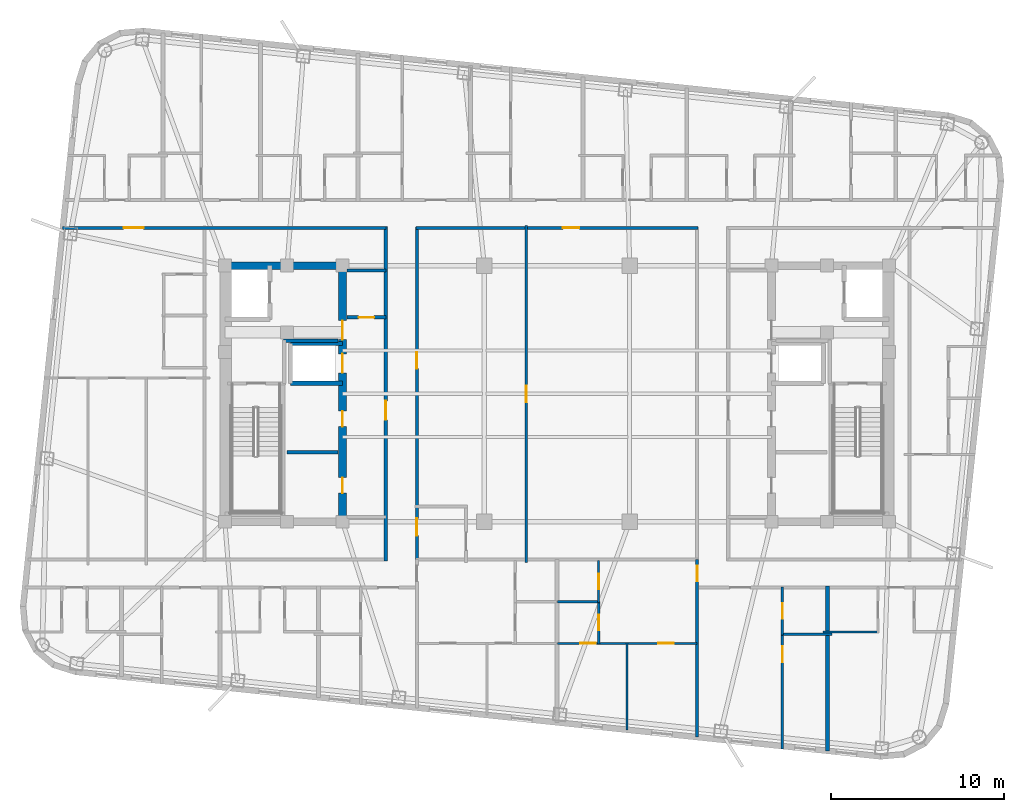
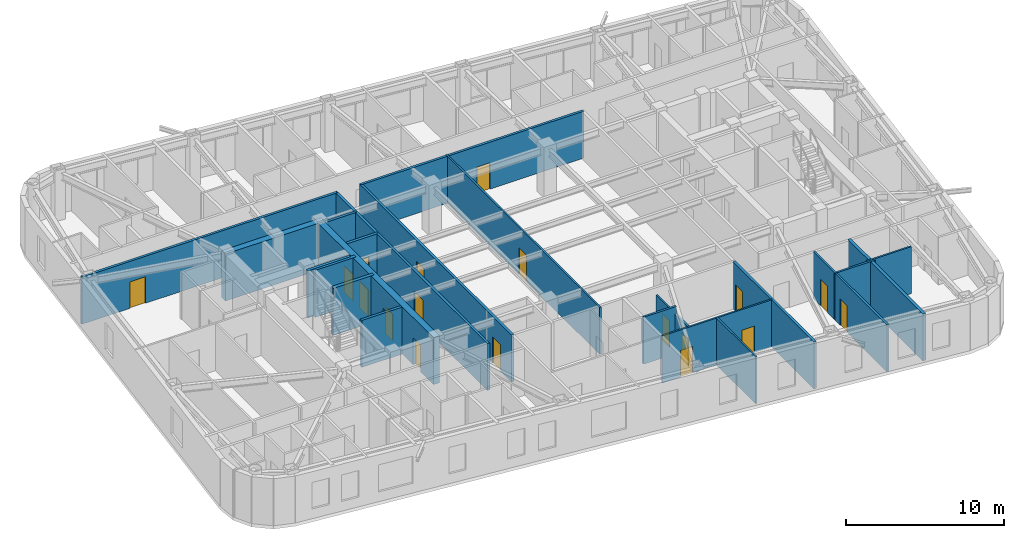
# One storey, part 5 of 11: 24 walls, 18 doors, 18 openings.
"""IFC4 building model written with IfcOpenShell, lengths in metres."""

import ifcopenshell
import ifcopenshell.guid

model = None  # the IFC model being written
_history = None  # IfcOwnerHistory: only IFC2X3 demands one
_inside = {}  # id of a spatial element -> (the spatial element, [elements in it])
_under = {}  # id of a project, library or spatial element -> (it, [spatial elements below it])
_declared = {}  # id of a project -> (the project, [libraries it declares])
_typed = {}  # id of a type object -> (the type object, [elements of that type])
_made_of = {}  # id of a material, layer set ... -> (it, [elements and type objects made of it])


def new_model(schema):
    """Start an empty IFC model of exactly this schema.

    Asked for "IFC4X3", IfcOpenShell would pick the latest addendum, in which some entities
    have other attributes; the version numbers below select the first issue.
    IFC2X3 requires an IfcOwnerHistory on every rooted entity: one is made here for all.
    """
    global model, _history
    if schema == "IFC4X3":
        model = ifcopenshell.file(schema_version=(4, 3, 0, 0))
    else:
        model = ifcopenshell.file(schema=schema)
    _inside.clear()
    _under.clear()
    _declared.clear()
    _typed.clear()
    _made_of.clear()
    _history = None
    if model.schema == "IFC2X3":
        org = make("IfcOrganization", Name="unknown")
        user = make(
            "IfcPersonAndOrganization",
            ThePerson=make("IfcPerson", FamilyName="unknown"),
            TheOrganization=org,
        )
        app = make(
            "IfcApplication",
            ApplicationDeveloper=org,
            Version="unknown",
            ApplicationFullName="unknown",
            ApplicationIdentifier="unknown",
        )
        _history = make(
            "IfcOwnerHistory",
            OwningUser=user,
            OwningApplication=app,
            ChangeAction="ADDED",
            CreationDate=0,
        )
    return model


def make(cls, **values):
    """One entity of the class cls with the attributes given. An attribute that is None is left unset."""
    return model.create_entity(
        cls, **{name: value for name, value in values.items() if value is not None}
    )


def rooted(cls, **values):
    """An entity with a GlobalId (a new one), such as an element, a storey or a relation."""
    return make(cls, GlobalId=ifcopenshell.guid.new(), OwnerHistory=_history, **values)


def si_unit(unit_type, name, prefix=None):
    """IfcSIUnit, for example si_unit("LENGTHUNIT", "METRE", prefix="MILLI")."""
    return make("IfcSIUnit", UnitType=unit_type, Prefix=prefix, Name=name)


def assignment(units):
    """IfcUnitAssignment: the units of a project."""
    return None if units is None else make("IfcUnitAssignment", Units=units)


def point(xyz):
    """IfcCartesianPoint."""
    return None if xyz is None else make("IfcCartesianPoint", Coordinates=xyz)


def direction(xyz):
    """IfcDirection."""
    return None if xyz is None else make("IfcDirection", DirectionRatios=xyz)


def frame(location, z_axis=None, x_axis=None):
    """IfcAxis2Placement3D, a coordinate frame: its origin and axes. An axis left out is left unset."""
    return make(
        "IfcAxis2Placement3D",
        Location=point(location),
        Axis=direction(z_axis),
        RefDirection=direction(x_axis),
    )


def frame_2d(location, x_axis=None):
    """IfcAxis2Placement2D, a coordinate frame in the plane: its origin and x axis."""
    return make(
        "IfcAxis2Placement2D", Location=point(location), RefDirection=direction(x_axis)
    )


def origin():
    """The frame at (0, 0, 0) with its axes left unset."""
    return frame((0.0, 0.0, 0.0))


def place(relative_to, where):
    """IfcLocalPlacement: puts the frame where relative to a parent placement (None: the world)."""
    return make(
        "IfcLocalPlacement", PlacementRelTo=relative_to, RelativePlacement=where
    )


def context(
    kind, dimensions, precision=None, world=None, true_north=None, identifier=None
):
    """IfcGeometricRepresentationContext, for example the 3D "Model" context."""
    return make(
        "IfcGeometricRepresentationContext",
        ContextIdentifier=identifier,
        ContextType=kind,
        CoordinateSpaceDimension=dimensions,
        Precision=precision,
        WorldCoordinateSystem=world,
        TrueNorth=true_north,
    )


def subcontext(parent, identifier, kind, view, scale=None):
    """IfcGeometricRepresentationSubContext, for example "Body" below "Model"."""
    return make(
        "IfcGeometricRepresentationSubContext",
        ContextIdentifier=identifier,
        ContextType=kind,
        ParentContext=parent,
        TargetScale=scale,
        TargetView=view,
    )


def project(units=None, contexts=None):
    """IfcProject with its units and contexts."""
    return rooted(
        "IfcProject",
        Name="project",
        RepresentationContexts=contexts,
        UnitsInContext=assignment(units),
    )


def spatial(cls, under=None, at=None, **own):
    """A site, building, storey or space (cls), placed at a placement, below another one or the project."""
    s = rooted(cls, ObjectPlacement=at, **own)
    if under is not None:
        _under.setdefault(under.id(), (under, []))[1].append(s)
    return s


def profile(cls, at=None, kind="AREA", **sizes):
    """A parametric profile (cls). Its sizes go by their IFC names, for example OverallWidth=200.0."""
    return make(cls, ProfileType=kind, Position=at, **sizes)


def rectangle(**sizes):
    """IfcRectangleProfileDef."""
    return profile("IfcRectangleProfileDef", **sizes)


def extrude(swept, where, along, depth):
    """IfcExtrudedAreaSolid: the profile swept, set in the frame where, extruded along a direction by depth."""
    return make(
        "IfcExtrudedAreaSolid",
        SweptArea=swept,
        Position=where,
        ExtrudedDirection=direction(along),
        Depth=depth,
    )


def shape(context_of_items, identifier, shape_type, items):
    """IfcShapeRepresentation: the items that make up one representation, for example the "Body"."""
    return make(
        "IfcShapeRepresentation",
        ContextOfItems=context_of_items,
        RepresentationIdentifier=identifier,
        RepresentationType=shape_type,
        Items=items,
    )


def material(Name=None, Category=None):
    """IfcMaterial."""
    return make("IfcMaterial", Name=Name, Category=Category)


def layer(
    of_material, thickness, ventilated=None, Name=None, Category=None, Priority=None
):
    """IfcMaterialLayer: one layer of a wall or slab, of a material (None: an air gap)."""
    return make(
        "IfcMaterialLayer",
        Material=of_material,
        LayerThickness=thickness,
        IsVentilated=ventilated,
        Name=Name,
        Category=Category,
        Priority=Priority,
    )


def layer_set(layers, Name=None):
    """IfcMaterialLayerSet."""
    return make("IfcMaterialLayerSet", MaterialLayers=layers, LayerSetName=Name)


def made_of(thing, what):
    """Note that an element or type object is made of a material, layer set ...; save() writes the relation."""
    if what is not None:
        _made_of.setdefault(what.id(), (what, []))[1].append(thing)
    return thing


def type_object(cls, material=None, **own):
    """A type object (cls), such as IfcWallType, which elements share."""
    return made_of(rooted(cls, **own), material)


def element(
    cls,
    number,
    at=None,
    inside=None,
    cuts=None,
    type_object=None,
    material=None,
    context=None,
    identifier="Body",
    shape_type=None,
    held_by="IfcProductDefinitionShape",
    body=None,
    shapes=None,
    **own,
):
    """One element of the class cls, such as IfcWall. Its Tag is "e" and its number.

    at: its placement. inside: the storey or other place that contains it. cuts: it is an
    opening in that element (IfcRelVoidsElement). A single representation is given by context,
    identifier, shape_type and body (its items); several are given by shapes. held_by: the class
    of the entity that holds the representations. save() writes the other relations.
    """
    e = rooted(cls, Tag="e%d" % number, ObjectPlacement=at, **own)
    if body is not None:
        shapes = [shape(context, identifier, shape_type, body)]
    if shapes is not None:
        e.Representation = make(held_by, Representations=shapes)
    if inside is not None:
        _inside.setdefault(inside.id(), (inside, []))[1].append(e)
    if cuts is not None:
        rooted(
            "IfcRelVoidsElement", RelatingBuildingElement=cuts, RelatedOpeningElement=e
        )
    if type_object is not None:
        _typed.setdefault(type_object.id(), (type_object, []))[1].append(e)
    return made_of(e, material)


def fill(opening, filler):
    """IfcRelFillsElement: the door or window that sits in an opening."""
    return rooted(
        "IfcRelFillsElement",
        RelatingOpeningElement=opening,
        RelatedBuildingElement=filler,
    )


def aggregate(whole, parts):
    """IfcRelAggregates: a whole, such as a stair, and the parts it consists of."""
    return rooted("IfcRelAggregates", RelatingObject=whole, RelatedObjects=parts)


def save(model, path):
    """Write the relations noted so far, then the file.

    IfcRelAggregates (storeys below a building ...), IfcRelContainedInSpatialStructure (elements
    in a storey), IfcRelDefinesByType, IfcRelAssociatesMaterial and IfcRelDeclares: one each for
    every whole, place, type object, material and project.
    """
    for whole, parts in _under.values():
        aggregate(whole, parts)
    for where, things in _inside.values():
        rooted(
            "IfcRelContainedInSpatialStructure",
            RelatedElements=things,
            RelatingStructure=where,
        )
    for kind, things in _typed.values():
        rooted("IfcRelDefinesByType", RelatedObjects=things, RelatingType=kind)
    for what, things in _made_of.values():
        rooted("IfcRelAssociatesMaterial", RelatedObjects=things, RelatingMaterial=what)
    for by, libraries in _declared.values():
        rooted("IfcRelDeclares", RelatingContext=by, RelatedDefinitions=libraries)
    model.write(path)


model = new_model("IFC4")

# Units and contexts
model_context = context("Model", 3, precision=1e-05, world=origin(), true_north=direction((0.0, 1.0)))
body_context = subcontext(model_context, "Body", "Model", "MODEL_VIEW")
ifc_project = project(units=[si_unit("LENGTHUNIT", "METRE"), si_unit("AREAUNIT", "SQUARE_METRE"), si_unit("VOLUMEUNIT", "CUBIC_METRE"), si_unit("PLANEANGLEUNIT", "RADIAN"), si_unit("MASSUNIT", "GRAM", prefix="KILO")], contexts=[model_context])

# Site, building, storey
site_placement = place(None, origin())
site = spatial("IfcSite", under=ifc_project, at=site_placement, CompositionType="ELEMENT")
building_placement = place(site_placement, origin())
building = spatial("IfcBuilding", under=site, at=building_placement, Name="Voryun Gate Residences", CompositionType="ELEMENT")
storey_placement = place(building_placement, frame((0.0, 0.0, 287.300048828125)))
storey = spatial("IfcBuildingStorey", under=building, at=storey_placement, Name="L71", CompositionType="ELEMENT", Elevation=287.300048828125)

# Wall
ifc_material_1 = material(Name="Concrete C50/60", Category="concrete")
ifc_layer_1 = layer(ifc_material_1, 0.449951171875, Name="CW_CORE_450")
ifc_layer_set_1 = layer_set([ifc_layer_1], Name="Concrete C50/60")
wall_type_1 = type_object("IfcWallType", Name="CW_CORE_450", PredefinedType="SHEAR", material=ifc_layer_set_1)
wall_1_placement = place(storey_placement, frame((-19.425048828125, 7.39990234375, 0.0), z_axis=(0.0, 0.0, 1.0), x_axis=(1.0, 0.0, 0.0)))
element("IfcWall", 1, at=wall_1_placement, inside=storey, type_object=wall_type_1, Name="L71 Core shear wall CW-L71-WN", PredefinedType="SHEAR", context=body_context, shape_type="SweptSolid", body=[
    extrude(rectangle(XDim=7.25, YDim=0.449951171875, at=frame_2d((3.625, 0.0))), origin(), (0.0, 0.0, 1.0), 3.635009765625),
])

# Wall, openings, doors
wall_2_placement = place(storey_placement, frame((-12.39990234375, -7.39990234375, 0.0), z_axis=(0.0, 0.0, 1.0), x_axis=(0.0, 1.0, 0.0)))
wall_2 = element("IfcWall", 2, at=wall_2_placement, inside=storey, type_object=wall_type_1, Name="L71 Core shear wall CW-L71-WE", PredefinedType="SHEAR", context=body_context, shape_type="SweptSolid", body=[
    extrude(rectangle(XDim=14.7998046875, YDim=0.449951171875, at=frame_2d((7.39990234375, 0.0))), origin(), (0.0, 0.0, 1.0), 3.635009765625),
])
opening_1_placement = place(wall_2_placement, frame((8.60009765625, 0.0, 0.0)))
opening_1 = element("IfcOpeningElement", 3, at=opening_1_placement, cuts=wall_2, Name="Opening LD2", PredefinedType="OPENING", context=body_context, shape_type="SweptSolid", body=[
    extrude(rectangle(XDim=1.10009765625, YDim=2.050048828125, at=frame_2d((0.550048828125, 1.02490234375))), frame((0.0, 0.235107421875, 0.0), z_axis=(0.0, -1.0, 0.0), x_axis=(1.0, 0.0, 0.0)), (0.0, 0.0, 1.0), 0.469970703125),
])
opening_2_placement = place(wall_2_placement, frame((10.530029296875, 0.0, 0.0)))
opening_2 = element("IfcOpeningElement", 4, at=opening_2_placement, cuts=wall_2, Name="Opening D-FD60-2", PredefinedType="OPENING", context=body_context, shape_type="SweptSolid", body=[
    extrude(rectangle(XDim=1.10009765625, YDim=2.050048828125, at=frame_2d((0.550048828125, 1.02490234375))), frame((0.0, 0.235107421875, 0.0), z_axis=(0.0, -1.0, 0.0), x_axis=(1.0, 0.0, 0.0)), (0.0, 0.0, 1.0), 0.469970703125),
])
opening_3_placement = place(wall_2_placement, frame((1.64990234375, 0.0, 0.0)))
opening_3 = element("IfcOpeningElement", 5, at=opening_3_placement, cuts=wall_2, Name="Opening D-FD60-4", PredefinedType="OPENING", context=body_context, shape_type="SweptSolid", body=[
    extrude(rectangle(XDim=0.89990234375, YDim=2.050048828125, at=frame_2d((0.449951171875, 1.02490234375))), frame((0.0, 0.235107421875, 0.0), z_axis=(0.0, -1.0, 0.0), x_axis=(1.0, 0.0, 0.0)), (0.0, 0.0, 1.0), 0.469970703125),
])
opening_4_placement = place(wall_2_placement, frame((5.5, 0.0, 0.0)))
opening_4 = element("IfcOpeningElement", 6, at=opening_4_placement, cuts=wall_2, Name="Opening D-FD60-4", PredefinedType="OPENING", context=body_context, shape_type="SweptSolid", body=[
    extrude(rectangle(XDim=0.89990234375, YDim=2.050048828125, at=frame_2d((0.449951171875, 1.02490234375))), frame((0.0, 0.235107421875, 0.0), z_axis=(0.0, -1.0, 0.0), x_axis=(1.0, 0.0, 0.0)), (0.0, 0.0, 1.0), 0.469970703125),
])
ifc_material_2 = material(Name="Painted steel fire door", Category="steel")
door_type_1 = type_object("IfcDoorType", Name="DR_FD60_FFLOB_1100", OperationType="NOTDEFINED", PredefinedType="DOOR", material=ifc_material_2)
door_1_placement = place(opening_2_placement, origin())
door_1 = element("IfcDoor", 7, at=door_1_placement, inside=storey, type_object=door_type_1, Name="Door DR-L71-CLOB-W", OperationType="SINGLE_SWING_LEFT", OverallHeight=2.050048828125, OverallWidth=1.10009765625, PredefinedType="DOOR", context=body_context, shape_type="SweptSolid", body=[
    extrude(rectangle(XDim=1.10009765625, YDim=2.050048828125, at=frame_2d((0.550048828125, 1.02490234375))), frame((0.0, 0.02490234375, 0.0), z_axis=(0.0, -1.0, 0.0), x_axis=(1.0, 0.0, 0.0)), (0.0, 0.0, 1.0), 0.050048828125),
])
fill(opening_2, door_1)
ifc_material_3 = material(Name="Painted steel fire door", Category="steel")
door_type_2 = type_object("IfcDoorType", Name="DR_FD60_RISER_900", OperationType="NOTDEFINED", PredefinedType="DOOR", material=ifc_material_3)
door_2_placement = place(opening_3_placement, origin())
door_2 = element("IfcDoor", 8, at=door_2_placement, inside=storey, type_object=door_type_2, Name="Door DR-L71-RECW-HS", OperationType="SINGLE_SWING_LEFT", OverallHeight=2.050048828125, OverallWidth=0.89990234375, PredefinedType="DOOR", context=body_context, shape_type="SweptSolid", body=[
    extrude(rectangle(XDim=0.89990234375, YDim=2.050048828125, at=frame_2d((0.449951171875, 1.02490234375))), frame((0.0, 0.02490234375, 0.0), z_axis=(0.0, -1.0, 0.0), x_axis=(1.0, 0.0, 0.0)), (0.0, 0.0, 1.0), 0.050048828125),
])
fill(opening_3, door_2)
door_3_placement = place(opening_4_placement, origin())
door_3 = element("IfcDoor", 9, at=door_3_placement, inside=storey, type_object=door_type_2, Name="Door DR-L71-RECW-HN", OperationType="SINGLE_SWING_RIGHT", OverallHeight=2.050048828125, OverallWidth=0.89990234375, PredefinedType="DOOR", context=body_context, shape_type="SweptSolid", body=[
    extrude(rectangle(XDim=0.89990234375, YDim=2.050048828125, at=frame_2d((0.449951171875, 1.02490234375))), frame((0.0, 0.02490234375, 0.0), z_axis=(0.0, -1.0, 0.0), x_axis=(1.0, 0.0, 0.0)), (0.0, 0.0, 1.0), 0.050048828125),
])
fill(opening_4, door_3)
ifc_material_4 = material(Name="Anodised aluminium", Category="aluminium")
door_type_3 = type_object("IfcDoorType", Name="DR_LD_PASS_1100", OperationType="NOTDEFINED", PredefinedType="DOOR", material=ifc_material_4)
door_4_placement = place(opening_1_placement, origin())
door_4 = element("IfcDoor", 10, at=door_4_placement, inside=storey, type_object=door_type_3, Name="Lift EL-P7 sliding landing door L71", OperationType="SLIDING_TO_LEFT", OverallHeight=2.050048828125, OverallWidth=1.10009765625, PredefinedType="DOOR", context=body_context, shape_type="SweptSolid", body=[
    extrude(rectangle(XDim=1.10009765625, YDim=2.050048828125, at=frame_2d((0.550048828125, 1.02490234375))), frame((0.0, 0.02490234375, 0.0), z_axis=(0.0, -1.0, 0.0), x_axis=(1.0, 0.0, 0.0)), (0.0, 0.0, 1.0), 0.050048828125),
])
fill(opening_1, door_4)

# Wall
ifc_material_5 = material(Name="Gypsum acoustic fireboard")
ifc_layer_2 = layer(ifc_material_5, 0.179931640625, Name="W_CORR_RATED_180")
ifc_layer_set_2 = layer_set([ifc_layer_2], Name="Gypsum acoustic fireboard")
wall_type_2 = type_object("IfcWallType", Name="W_CORR_RATED_180", PredefinedType="PARTITIONING", material=ifc_layer_set_2)
wall_3_placement = place(storey_placement, frame((-12.14990234375, 7.1201171875, 0.0), z_axis=(0.0, 0.0, 1.0), x_axis=(1.0, 0.0, 0.0)))
element("IfcWall", 11, at=wall_3_placement, inside=storey, type_object=wall_type_2, Name="Partition wall WP-L71-PLBN-W", PredefinedType="PARTITIONING", context=body_context, shape_type="SweptSolid", body=[
    extrude(rectangle(XDim=2.27001953125, YDim=0.179931640625, at=frame_2d((1.135009765625, 0.0))), origin(), (0.0, 0.0, 1.0), 3.635009765625),
])

# Wall, opening, door
wall_4_placement = place(storey_placement, frame((-9.89990234375, -9.679931640625, 0.0), z_axis=(0.0, 0.0, 1.0), x_axis=(0.0, 1.0, 0.0)))
wall_4 = element("IfcWall", 12, at=wall_4_placement, inside=storey, type_object=wall_type_2, Name="Partition wall WP-L71-PLBW-FULL", PredefinedType="PARTITIONING", context=body_context, shape_type="SweptSolid", body=[
    extrude(rectangle(XDim=19.35986328125, YDim=0.179931640625, at=frame_2d((9.679931640625, 0.0))), origin(), (0.0, 0.0, 1.0), 3.635009765625),
])
opening_5_placement = place(wall_4_placement, frame((8.162109375, 0.0, 0.0)))
opening_5 = element("IfcOpeningElement", 13, at=opening_5_placement, cuts=wall_4, Name="Opening D-FD60-2", PredefinedType="OPENING", context=body_context, shape_type="SweptSolid", body=[
    extrude(rectangle(XDim=1.10009765625, YDim=2.050048828125, at=frame_2d((0.550048828125, 1.02490234375))), frame((0.0, 0.099853515625, 0.0), z_axis=(0.0, -1.0, 0.0), x_axis=(1.0, 0.0, 0.0)), (0.0, 0.0, 1.0), 0.199951171875),
])
door_5_placement = place(opening_5_placement, origin())
door_5 = element("IfcDoor", 14, at=door_5_placement, inside=storey, type_object=door_type_1, Name="Door DR-L71-PLBW-COR", OperationType="SINGLE_SWING_LEFT", OverallHeight=2.050048828125, OverallWidth=1.10009765625, PredefinedType="DOOR", context=body_context, shape_type="SweptSolid", body=[
    extrude(rectangle(XDim=1.10009765625, YDim=2.050048828125, at=frame_2d((0.550048828125, 1.02490234375))), frame((0.0, 0.02490234375, 0.0), z_axis=(0.0, -1.0, 0.0), x_axis=(1.0, 0.0, 0.0)), (0.0, 0.0, 1.0), 0.050048828125),
])
fill(opening_5, door_5)

wall_5_placement = place(storey_placement, frame((-28.56982421875, 9.590087890625, 0.0), z_axis=(0.0, 0.0, 1.0), x_axis=(1.0, 0.0, 0.0)))
wall_5 = element("IfcWall", 15, at=wall_5_placement, inside=storey, type_object=wall_type_2, Name="Partition wall WP-L71-CWING-WN", PredefinedType="PARTITIONING", context=body_context, shape_type="SweptSolid", body=[
    extrude(rectangle(XDim=18.68994140625, YDim=0.179931640625, at=frame_2d((9.344970703125, 0.0))), origin(), (0.0, 0.0, 1.0), 3.635009765625),
])
opening_6_placement = place(wall_5_placement, frame((3.52001953125, 0.0, 0.0)))
opening_6 = element("IfcOpeningElement", 16, at=opening_6_placement, cuts=wall_5, Name="Opening D-UNIT-1", PredefinedType="OPENING", context=body_context, shape_type="SweptSolid", body=[
    extrude(rectangle(XDim=1.14990234375, YDim=2.050048828125, at=frame_2d((0.574951171875, 1.02490234375))), frame((0.0, 0.099853515625, 0.0), z_axis=(0.0, -1.0, 0.0), x_axis=(1.0, 0.0, 0.0)), (0.0, 0.0, 1.0), 0.199951171875),
])
ifc_material_6 = material(Name="Armoured timber-clad fire door", Category="wood")
door_type_4 = type_object("IfcDoorType", Name="DR_UNIT_ENTRY_1150", OperationType="NOTDEFINED", PredefinedType="DOOR", material=ifc_material_6)
door_6_placement = place(opening_6_placement, origin())
door_6 = element("IfcDoor", 17, at=door_6_placement, inside=storey, type_object=door_type_4, Name="Door DR-L71-WE1N", OperationType="SINGLE_SWING_LEFT", OverallHeight=2.050048828125, OverallWidth=1.14990234375, PredefinedType="DOOR", context=body_context, shape_type="SweptSolid", body=[
    extrude(rectangle(XDim=1.14990234375, YDim=2.050048828125, at=frame_2d((0.574951171875, 1.02490234375))), frame((0.0, 0.02490234375, 0.0), z_axis=(0.0, -1.0, 0.0), x_axis=(1.0, 0.0, 0.0)), (0.0, 0.0, 1.0), 0.050048828125),
])
fill(opening_6, door_6)

wall_6_placement = place(storey_placement, frame((-8.14990234375, 9.590087890625, 0.0), z_axis=(0.0, 0.0, 1.0), x_axis=(1.0, 0.0, 0.0)))
wall_6 = element("IfcWall", 18, at=wall_6_placement, inside=storey, type_object=wall_type_2, Name="Partition wall WP-L71-Z3N", PredefinedType="PARTITIONING", context=body_context, shape_type="SweptSolid", body=[
    extrude(rectangle(XDim=16.2998046875, YDim=0.179931640625, at=frame_2d((8.14990234375, 0.0))), origin(), (0.0, 0.0, 1.0), 3.635009765625),
])
opening_7_placement = place(wall_6_placement, frame((8.489990234375, 0.0, 0.0)))
opening_7 = element("IfcOpeningElement", 19, at=opening_7_placement, cuts=wall_6, Name="Opening D-INT-1", PredefinedType="OPENING", context=body_context, shape_type="SweptSolid", body=[
    extrude(rectangle(XDim=0.949951171875, YDim=2.050048828125, at=frame_2d((0.47509765625, 1.02490234375))), frame((0.0, 0.099853515625, 0.0), z_axis=(0.0, -1.0, 0.0), x_axis=(1.0, 0.0, 0.0)), (0.0, 0.0, 1.0), 0.199951171875),
])
ifc_material_7 = material(Name="Architectural oak veneer")
door_type_5 = type_object("IfcDoorType", Name="DR_INT_ROOM_950", OperationType="NOTDEFINED", PredefinedType="DOOR", material=ifc_material_7)
door_7_placement = place(opening_7_placement, origin())
door_7 = element("IfcDoor", 20, at=door_7_placement, inside=storey, type_object=door_type_5, Name="Door DR-L71-CMIDZ3N", OperationType="SINGLE_SWING_LEFT", OverallHeight=2.050048828125, OverallWidth=0.949951171875, PredefinedType="DOOR", context=body_context, shape_type="SweptSolid", body=[
    extrude(rectangle(XDim=0.949951171875, YDim=2.050048828125, at=frame_2d((0.47509765625, 1.02490234375))), frame((0.0, 0.02490234375, 0.0), z_axis=(0.0, -1.0, 0.0), x_axis=(1.0, 0.0, 0.0)), (0.0, 0.0, 1.0), 0.050048828125),
])
fill(opening_7, door_7)

# Wall, openings, doors
wall_7_placement = place(storey_placement, frame((-8.10009765625, -9.6298828125, 0.0), z_axis=(0.0, 0.0, 1.0), x_axis=(0.0, 1.0, 0.0)))
wall_7 = element("IfcWall", 21, at=wall_7_placement, inside=storey, type_object=wall_type_2, Name="Partition wall WP-L71-Z3W", PredefinedType="PARTITIONING", context=body_context, shape_type="SweptSolid", body=[
    extrude(rectangle(XDim=19.259765625, YDim=0.179931640625, at=frame_2d((9.6298828125, 0.0))), origin(), (0.0, 0.0, 1.0), 3.635009765625),
])
opening_8_placement = place(wall_7_placement, frame((1.426025390625, 0.0, 0.0)))
opening_8 = element("IfcOpeningElement", 22, at=opening_8_placement, cuts=wall_7, Name="Opening D-AWC-1", PredefinedType="OPENING", context=body_context, shape_type="SweptSolid", body=[
    extrude(rectangle(XDim=1.0, YDim=2.050048828125, at=frame_2d((0.5, 1.02490234375))), frame((0.0, 0.099853515625, 0.0), z_axis=(0.0, -1.0, 0.0), x_axis=(1.0, 0.0, 0.0)), (0.0, 0.0, 1.0), 0.199951171875),
])
opening_9_placement = place(wall_7_placement, frame((11.0810546875, 0.0, 0.0)))
opening_9 = element("IfcOpeningElement", 23, at=opening_9_placement, cuts=wall_7, Name="Opening D-INT-1", PredefinedType="OPENING", context=body_context, shape_type="SweptSolid", body=[
    extrude(rectangle(XDim=0.949951171875, YDim=2.050048828125, at=frame_2d((0.47509765625, 1.02490234375))), frame((0.0, 0.099853515625, 0.0), z_axis=(0.0, -1.0, 0.0), x_axis=(1.0, 0.0, 0.0)), (0.0, 0.0, 1.0), 0.199951171875),
])
ifc_material_8 = material(Name="Architectural oak veneer")
door_type_6 = type_object("IfcDoorType", Name="DR_ACC_WC_1000", OperationType="NOTDEFINED", PredefinedType="DOOR", material=ifc_material_8)
door_8_placement = place(opening_8_placement, origin())
door_8 = element("IfcDoor", 24, at=door_8_placement, inside=storey, type_object=door_type_6, Name="Door DR-L71-CMWC-D", OperationType="SINGLE_SWING_LEFT", OverallHeight=2.050048828125, OverallWidth=1.0, PredefinedType="DOOR", context=body_context, shape_type="SweptSolid", body=[
    extrude(rectangle(XDim=1.0, YDim=2.050048828125, at=frame_2d((0.5, 1.02490234375))), frame((0.0, 0.02490234375, 0.0), z_axis=(0.0, -1.0, 0.0), x_axis=(1.0, 0.0, 0.0)), (0.0, 0.0, 1.0), 0.050048828125),
])
fill(opening_8, door_8)
door_9_placement = place(opening_9_placement, origin())
door_9 = element("IfcDoor", 25, at=door_9_placement, inside=storey, type_object=door_type_5, Name="Door DR-L71-CMIDZ3W", OperationType="SINGLE_SWING_RIGHT", OverallHeight=2.050048828125, OverallWidth=0.949951171875, PredefinedType="DOOR", context=body_context, shape_type="SweptSolid", body=[
    extrude(rectangle(XDim=0.949951171875, YDim=2.050048828125, at=frame_2d((0.47509765625, 1.02490234375))), frame((0.0, 0.02490234375, 0.0), z_axis=(0.0, -1.0, 0.0), x_axis=(1.0, 0.0, 0.0)), (0.0, 0.0, 1.0), 0.050048828125),
])
fill(opening_9, door_9)

# Wall, opening, door
wall_8_placement = place(storey_placement, frame((8.10009765625, -19.857177734375, 0.0), z_axis=(0.0, 0.0, 1.0), x_axis=(0.0, 1.0, 0.0)))
wall_8 = element("IfcWall", 26, at=wall_8_placement, inside=storey, type_object=wall_type_2, Name="Partition wall WP-L71-SZV-2", PredefinedType="PARTITIONING", context=body_context, shape_type="SweptSolid", body=[
    extrude(rectangle(XDim=10.26708984375, YDim=0.179931640625, at=frame_2d((5.133544921875, 0.0))), origin(), (0.0, 0.0, 1.0), 3.635009765625),
])
opening_10_placement = place(wall_8_placement, frame((9.017333984375, 0.0, 0.0)))
opening_10 = element("IfcOpeningElement", 27, at=opening_10_placement, cuts=wall_8, Name="Opening D-INT-2", PredefinedType="OPENING", context=body_context, shape_type="SweptSolid", body=[
    extrude(rectangle(XDim=0.89990234375, YDim=2.050048828125, at=frame_2d((0.449951171875, 1.02490234375))), frame((0.0, 0.099853515625, 0.0), z_axis=(0.0, -1.0, 0.0), x_axis=(1.0, 0.0, 0.0)), (0.0, 0.0, 1.0), 0.199951171875),
])
ifc_material_9 = material(Name="Architectural oak veneer")
door_type_7 = type_object("IfcDoorType", Name="DR_INT_BATH_900", OperationType="NOTDEFINED", PredefinedType="DOOR", material=ifc_material_9)
door_10_placement = place(opening_10_placement, origin())
door_10 = element("IfcDoor", 28, at=door_10_placement, inside=storey, type_object=door_type_7, Name="Door DR-L71-SZENT-2", OperationType="SINGLE_SWING_RIGHT", OverallHeight=2.050048828125, OverallWidth=0.89990234375, PredefinedType="DOOR", context=body_context, shape_type="SweptSolid", body=[
    extrude(rectangle(XDim=0.89990234375, YDim=2.050048828125, at=frame_2d((0.449951171875, 1.02490234375))), frame((0.0, 0.02490234375, 0.0), z_axis=(0.0, -1.0, 0.0), x_axis=(1.0, 0.0, 0.0)), (0.0, 0.0, 1.0), 0.050048828125),
])
fill(opening_10, door_10)

# Walls
ifc_material_10 = material(Name="Concrete C40/50", Category="concrete")
ifc_layer_3 = layer(ifc_material_10, 0.199951171875, Name="W_FF_LOBBY_200")
ifc_layer_set_3 = layer_set([ifc_layer_3], Name="Concrete C40/50")
wall_type_3 = type_object("IfcWallType", Name="W_FF_LOBBY_200", PredefinedType="PARTITIONING", material=ifc_layer_set_3)
wall_9_placement = place(storey_placement, frame((-15.820068359375, 3.06005859375, 0.0), z_axis=(0.0, 0.0, 1.0), x_axis=(1.0, 0.0, 0.0)))
element("IfcWall", 29, at=wall_9_placement, inside=storey, type_object=wall_type_3, Name="Partition wall WP-L71-FFPS-W", PredefinedType="PARTITIONING", context=body_context, shape_type="SweptSolid", body=[
    extrude(rectangle(XDim=3.16015625, YDim=0.199951171875, at=frame_2d((1.580078125, 0.0))), origin(), (0.0, 0.0, 1.0), 3.635009765625),
])
wall_10_placement = place(storey_placement, frame((-15.60009765625, -3.389892578125, 0.0), z_axis=(0.0, 0.0, 1.0), x_axis=(1.0, 0.0, 0.0)))
element("IfcWall", 30, at=wall_10_placement, inside=storey, type_object=wall_type_3, Name="Partition wall WP-L71-RECEY-W", PredefinedType="PARTITIONING", context=body_context, shape_type="SweptSolid", body=[
    extrude(rectangle(XDim=2.940185546875, YDim=0.199951171875, at=frame_2d((1.47021484375, 0.0))), origin(), (0.0, 0.0, 1.0), 3.635009765625),
])

# Wall, opening, door
wall_11_placement = place(storey_placement, frame((-12.14990234375, 4.409912109375, 0.0), z_axis=(0.0, 0.0, 1.0), x_axis=(1.0, 0.0, 0.0)))
wall_11 = element("IfcWall", 31, at=wall_11_placement, inside=storey, type_object=wall_type_3, Name="Partition wall WP-L71-CSFLKS-W", PredefinedType="PARTITIONING", context=body_context, shape_type="SweptSolid", body=[
    extrude(rectangle(XDim=2.27001953125, YDim=0.199951171875, at=frame_2d((1.135009765625, 0.0))), origin(), (0.0, 0.0, 1.0), 3.635009765625),
])
opening_11_placement = place(wall_11_placement, frame((0.68505859375, 0.0, 0.0)))
opening_11 = element("IfcOpeningElement", 32, at=opening_11_placement, cuts=wall_11, Name="Opening D-FD60-4", PredefinedType="OPENING", context=body_context, shape_type="SweptSolid", body=[
    extrude(rectangle(XDim=0.89990234375, YDim=2.050048828125, at=frame_2d((0.449951171875, 1.02490234375))), frame((0.0, 0.110107421875, 0.0), z_axis=(0.0, -1.0, 0.0), x_axis=(1.0, 0.0, 0.0)), (0.0, 0.0, 1.0), 0.219970703125),
])
door_11_placement = place(opening_11_placement, origin())
door_11 = element("IfcDoor", 33, at=door_11_placement, inside=storey, type_object=door_type_2, Name="Door DR-L71-CSFLK-W", OperationType="SINGLE_SWING_LEFT", OverallHeight=2.050048828125, OverallWidth=0.89990234375, PredefinedType="DOOR", context=body_context, shape_type="SweptSolid", body=[
    extrude(rectangle(XDim=0.89990234375, YDim=2.050048828125, at=frame_2d((0.449951171875, 1.02490234375))), frame((0.0, 0.02490234375, 0.0), z_axis=(0.0, -1.0, 0.0), x_axis=(1.0, 0.0, 0.0)), (0.0, 0.0, 1.0), 0.050048828125),
])
fill(opening_11, door_11)

# Walls
ifc_material_11 = material(Name="Concrete C40/50", Category="concrete")
ifc_layer_4 = layer(ifc_material_11, 0.219970703125, Name="W_PARTY_ACOUSTIC_220")
ifc_layer_set_4 = layer_set([ifc_layer_4], Name="Concrete C40/50")
wall_type_4 = type_object("IfcWallType", Name="W_PARTY_ACOUSTIC_220", PredefinedType="PARTITIONING", material=ifc_layer_set_4)
wall_12_placement = place(storey_placement, frame((15.64306640625, -20.64990234375, 0.0), z_axis=(0.0, 0.0, 1.0), x_axis=(0.0, 1.0, 0.0)))
element("IfcWall", 34, at=wall_12_placement, inside=storey, type_object=wall_type_4, Name="Partition wall WP-L71-SPTY-6", PredefinedType="PARTITIONING", context=body_context, shape_type="SweptSolid", body=[
    extrude(rectangle(XDim=9.52978515625, YDim=0.219970703125, at=frame_2d((4.764892578125, 0.0))), origin(), (0.0, 0.0, 1.0), 3.635009765625),
])
ifc_material_12 = material(Name="Concrete C50/60", Category="concrete")
ifc_layer_5 = layer(ifc_material_12, 0.25, Name="W_SHAFT_RC250")
ifc_layer_set_5 = layer_set([ifc_layer_5], Name="Concrete C50/60")
wall_type_5 = type_object("IfcWallType", Name="W_SHAFT_RC250", PredefinedType="SOLIDWALL", material=ifc_layer_set_5)
for number, where, z_axis, x_axis, name in (
    (35, (-15.39990234375, 0.60009765625, 0.0), (0.0, 0.0, 1.0), (1.0, 0.0, 0.0), "Lift shaft wall WSH-L71-EL-P7-S"),
    (36, (-12.39990234375, 2.89990234375, 0.0), (0.0, 0.0, 1.0), (-1.0, 0.0, 0.0), "Lift shaft wall WSH-L71-EL-P7-N"),
):
    element("IfcWall", number, at=place(storey_placement, frame(where, z_axis=z_axis, x_axis=x_axis)), inside=storey, type_object=wall_type_5, Name=name, PredefinedType="SOLIDWALL", context=body_context, shape_type="SweptSolid", body=[
        extrude(rectangle(XDim=3.0, YDim=0.25, at=frame_2d((1.5, 0.0))), origin(), (0.0, 0.0, 1.0), 3.635009765625),
    ])

# Wall, opening, door
ifc_material_13 = material(Name="Gypsum acoustic partition")
ifc_layer_6 = layer(ifc_material_13, 0.125, Name="W_UNIT_PART_125")
ifc_layer_set_6 = layer_set([ifc_layer_6], Name="Gypsum acoustic partition")
wall_type_6 = type_object("IfcWallType", Name="W_UNIT_PART_125", PredefinedType="PARTITIONING", material=ifc_layer_set_6)
wall_13_placement = place(storey_placement, frame((-1.77294921875, -9.77001953125, 0.0), z_axis=(0.0, 0.0, 1.0), x_axis=(0.0, 1.0, 0.0)))
wall_13 = element("IfcWall", 37, at=wall_13_placement, inside=storey, type_object=wall_type_6, Name="Partition wall WP-L71-MIDX-0", PredefinedType="PARTITIONING", context=body_context, shape_type="SweptSolid", body=[
    extrude(rectangle(XDim=19.489990234375, YDim=0.125, at=frame_2d((9.7451171875, 0.0))), origin(), (0.0, 0.0, 1.0), 3.635009765625),
])
opening_12_placement = place(wall_13_placement, frame((9.27001953125, 0.0, 0.0)))
opening_12 = element("IfcOpeningElement", 38, at=opening_12_placement, cuts=wall_13, Name="Opening D-INT-1", PredefinedType="OPENING", context=body_context, shape_type="SweptSolid", body=[
    extrude(rectangle(XDim=0.949951171875, YDim=2.050048828125, at=frame_2d((0.47509765625, 1.02490234375))), frame((0.0, 0.072509765625, 0.0), z_axis=(0.0, -1.0, 0.0), x_axis=(1.0, 0.0, 0.0)), (0.0, 0.0, 1.0), 0.14501953125),
])
door_12_placement = place(opening_12_placement, origin())
door_12 = element("IfcDoor", 39, at=door_12_placement, inside=storey, type_object=door_type_5, Name="Door DR-L71-MIDX-0", OperationType="SINGLE_SWING_LEFT", OverallHeight=2.050048828125, OverallWidth=0.949951171875, PredefinedType="DOOR", context=body_context, shape_type="SweptSolid", body=[
    extrude(rectangle(XDim=0.949951171875, YDim=2.050048828125, at=frame_2d((0.47509765625, 1.02490234375))), frame((0.0, 0.02490234375, 0.0), z_axis=(0.0, -1.0, 0.0), x_axis=(1.0, 0.0, 0.0)), (0.0, 0.0, 1.0), 0.050048828125),
])
fill(opening_12, door_12)

# Wall
wall_14_placement = place(storey_placement, frame((15.383056640625, -13.77001953125, 0.0), z_axis=(0.0, 0.0, 1.0), x_axis=(1.0, 0.0, 0.0)))
element("IfcWall", 40, at=wall_14_placement, inside=storey, type_object=wall_type_6, Name="Partition wall WP-L71-S7-CHK", PredefinedType="PARTITIONING", context=body_context, shape_type="SweptSolid", body=[
    extrude(rectangle(XDim=3.23095703125, YDim=0.125, at=frame_2d((1.615478515625, 0.0))), origin(), (0.0, 0.0, 1.0), 3.635009765625),
])

# Wall, openings, doors
wall_15_placement = place(storey_placement, frame((0.02001953125, -14.429931640625, 0.0), z_axis=(0.0, 0.0, 1.0), x_axis=(1.0, 0.0, 0.0)))
wall_15 = element("IfcWall", 41, at=wall_15_placement, inside=storey, type_object=wall_type_6, Name="Partition wall WP-L71-SC2-HZ", PredefinedType="PARTITIONING", context=body_context, shape_type="SweptSolid", body=[
    extrude(rectangle(XDim=8.06005859375, YDim=0.125, at=frame_2d((4.030029296875, 0.0))), origin(), (0.0, 0.0, 1.0), 3.635009765625),
])
opening_13_placement = place(wall_15_placement, frame((1.3232421875, 0.0, 0.0)))
opening_13 = element("IfcOpeningElement", 42, at=opening_13_placement, cuts=wall_15, Name="Opening D-INT-2", PredefinedType="OPENING", context=body_context, shape_type="SweptSolid", body=[
    extrude(rectangle(XDim=0.89990234375, YDim=2.050048828125, at=frame_2d((0.449951171875, 1.02490234375))), frame((0.0, 0.072509765625, 0.0), z_axis=(0.0, -1.0, 0.0), x_axis=(1.0, 0.0, 0.0)), (0.0, 0.0, 1.0), 0.14501953125),
])
opening_14_placement = place(wall_15_placement, frame((5.8369140625, 0.0, 0.0)))
opening_14 = element("IfcOpeningElement", 43, at=opening_14_placement, cuts=wall_15, Name="Opening D-INT-2", PredefinedType="OPENING", context=body_context, shape_type="SweptSolid", body=[
    extrude(rectangle(XDim=0.89990234375, YDim=2.050048828125, at=frame_2d((0.449951171875, 1.02490234375))), frame((0.0, 0.072509765625, 0.0), z_axis=(0.0, -1.0, 0.0), x_axis=(1.0, 0.0, 0.0)), (0.0, 0.0, 1.0), 0.14501953125),
])
door_13_placement = place(opening_13_placement, origin())
door_13 = element("IfcDoor", 44, at=door_13_placement, inside=storey, type_object=door_type_7, Name="Door DR-L71-SC2-DMB", OperationType="SINGLE_SWING_LEFT", OverallHeight=2.050048828125, OverallWidth=0.89990234375, PredefinedType="DOOR", context=body_context, shape_type="SweptSolid", body=[
    extrude(rectangle(XDim=0.89990234375, YDim=2.050048828125, at=frame_2d((0.449951171875, 1.02490234375))), frame((0.0, 0.02490234375, 0.0), z_axis=(0.0, -1.0, 0.0), x_axis=(1.0, 0.0, 0.0)), (0.0, 0.0, 1.0), 0.050048828125),
])
fill(opening_13, door_13)
door_14_placement = place(opening_14_placement, origin())
door_14 = element("IfcDoor", 45, at=door_14_placement, inside=storey, type_object=door_type_7, Name="Door DR-L71-SC2-DBD2", OperationType="SINGLE_SWING_RIGHT", OverallHeight=2.050048828125, OverallWidth=0.89990234375, PredefinedType="DOOR", context=body_context, shape_type="SweptSolid", body=[
    extrude(rectangle(XDim=0.89990234375, YDim=2.050048828125, at=frame_2d((0.449951171875, 1.02490234375))), frame((0.0, 0.02490234375, 0.0), z_axis=(0.0, -1.0, 0.0), x_axis=(1.0, 0.0, 0.0)), (0.0, 0.0, 1.0), 0.050048828125),
])
fill(opening_14, door_14)

# Wall, opening, door
wall_16_placement = place(storey_placement, frame((2.409912109375, -12.06005859375, 0.0), z_axis=(0.0, 0.0, 1.0), x_axis=(0.0, 1.0, 0.0)))
wall_16 = element("IfcWall", 46, at=wall_16_placement, inside=storey, type_object=wall_type_6, Name="Partition wall WP-L71-SC2-VK1", PredefinedType="PARTITIONING", context=body_context, shape_type="SweptSolid", body=[
    extrude(rectangle(XDim=2.41015625, YDim=0.125, at=frame_2d((1.205078125, 0.0))), origin(), (0.0, 0.0, 1.0), 3.074951171875),
])
opening_15_placement = place(wall_16_placement, frame((0.7548828125, 0.0, 0.0)))
opening_15 = element("IfcOpeningElement", 47, at=opening_15_placement, cuts=wall_16, Name="Opening D-INT-2", PredefinedType="OPENING", context=body_context, shape_type="SweptSolid", body=[
    extrude(rectangle(XDim=0.89990234375, YDim=2.050048828125, at=frame_2d((0.449951171875, 1.02490234375))), frame((0.0, 0.072509765625, 0.0), z_axis=(0.0, -1.0, 0.0), x_axis=(1.0, 0.0, 0.0)), (0.0, 0.0, 1.0), 0.14501953125),
])
door_15_placement = place(opening_15_placement, origin())
door_15 = element("IfcDoor", 48, at=door_15_placement, inside=storey, type_object=door_type_7, Name="Door DR-L71-SC2-DK", OperationType="SINGLE_SWING_LEFT", OverallHeight=2.050048828125, OverallWidth=0.89990234375, PredefinedType="DOOR", context=body_context, shape_type="SweptSolid", body=[
    extrude(rectangle(XDim=0.89990234375, YDim=2.050048828125, at=frame_2d((0.449951171875, 1.02490234375))), frame((0.0, 0.02490234375, 0.0), z_axis=(0.0, -1.0, 0.0), x_axis=(1.0, 0.0, 0.0)), (0.0, 0.0, 1.0), 0.050048828125),
])
fill(opening_15, door_15)

# Walls
wall_17_placement = place(storey_placement, frame((4.050048828125, -19.431640625, 0.0), z_axis=(0.0, 0.0, 1.0), x_axis=(0.0, 1.0, 0.0)))
element("IfcWall", 49, at=wall_17_placement, inside=storey, type_object=wall_type_6, Name="Partition wall WP-L71-SC2-VBD", PredefinedType="PARTITIONING", context=body_context, shape_type="SweptSolid", body=[
    extrude(rectangle(XDim=5.041748046875, YDim=0.125, at=frame_2d((2.52099609375, 0.0))), origin(), (0.0, 0.0, 1.0), 3.635009765625),
])
ifc_material_14 = material(Name="Gypsum moisture-resistant partition")
ifc_layer_7 = layer(ifc_material_14, 0.14990234375, Name="W_WET_PLUMB_150")
ifc_layer_set_7 = layer_set([ifc_layer_7], Name="Gypsum moisture-resistant partition")
wall_type_7 = type_object("IfcWallType", Name="W_WET_PLUMB_150", PredefinedType="PLUMBINGWALL", material=ifc_layer_set_7)
wall_18_placement = place(storey_placement, frame((12.952880859375, -13.89990234375, 0.0), z_axis=(0.0, 0.0, 1.0), x_axis=(1.0, 0.0, 0.0)))
element("IfcWall", 50, at=wall_18_placement, inside=storey, type_object=wall_type_7, Name="Partition wall WP-L71-S6-SKB", PredefinedType="PLUMBINGWALL", context=body_context, shape_type="SweptSolid", body=[
    extrude(rectangle(XDim=2.9501953125, YDim=0.14990234375, at=frame_2d((1.47509765625, 0.0))), origin(), (0.0, 0.0, 1.0), 3.635009765625),
])

# Wall, opening, door
wall_19_placement = place(storey_placement, frame((13.032958984375, -20.526611328125, 0.0), z_axis=(0.0, 0.0, 1.0), x_axis=(0.0, 1.0, 0.0)))
wall_19 = element("IfcWall", 51, at=wall_19_placement, inside=storey, type_object=wall_type_7, Name="Partition wall WP-L71-S6-SVT1", PredefinedType="PLUMBINGWALL", context=body_context, shape_type="SweptSolid", body=[
    extrude(rectangle(XDim=6.66650390625, YDim=0.14990234375, at=frame_2d((3.333251953125, 0.0))), origin(), (0.0, 0.0, 1.0), 3.635009765625),
])
opening_16_placement = place(wall_19_placement, frame((5.0166015625, 0.0, 0.0)))
opening_16 = element("IfcOpeningElement", 52, at=opening_16_placement, cuts=wall_19, Name="Opening D-INT-2", PredefinedType="OPENING", context=body_context, shape_type="SweptSolid", body=[
    extrude(rectangle(XDim=0.89990234375, YDim=2.050048828125, at=frame_2d((0.449951171875, 1.02490234375))), frame((0.0, 0.0849609375, 0.0), z_axis=(0.0, -1.0, 0.0), x_axis=(1.0, 0.0, 0.0)), (0.0, 0.0, 1.0), 0.169921875),
])
door_16_placement = place(opening_16_placement, origin())
door_16 = element("IfcDoor", 53, at=door_16_placement, inside=storey, type_object=door_type_7, Name="Door DR-L71-S6-DK", OperationType="SINGLE_SWING_LEFT", OverallHeight=2.050048828125, OverallWidth=0.89990234375, PredefinedType="DOOR", context=body_context, shape_type="SweptSolid", body=[
    extrude(rectangle(XDim=0.89990234375, YDim=2.050048828125, at=frame_2d((0.449951171875, 1.02490234375))), frame((0.0, 0.02490234375, 0.0), z_axis=(0.0, -1.0, 0.0), x_axis=(1.0, 0.0, 0.0)), (0.0, 0.0, 1.0), 0.050048828125),
])
fill(opening_16, door_16)

wall_20_placement = place(storey_placement, frame((13.032958984375, -13.93994140625, 0.0), z_axis=(0.0, 0.0, 1.0), x_axis=(0.0, 1.0, 0.0)))
wall_20 = element("IfcWall", 54, at=wall_20_placement, inside=storey, type_object=wall_type_7, Name="Partition wall WP-L71-S6-SVT2", PredefinedType="PLUMBINGWALL", context=body_context, shape_type="SweptSolid", body=[
    extrude(rectangle(XDim=2.760009765625, YDim=0.14990234375, at=frame_2d((1.3798828125, 0.0))), origin(), (0.0, 0.0, 1.0), 3.635009765625),
])
opening_17_placement = place(wall_20_placement, frame((0.929931640625, 0.0, 0.0)))
opening_17 = element("IfcOpeningElement", 55, at=opening_17_placement, cuts=wall_20, Name="Opening D-INT-2", PredefinedType="OPENING", context=body_context, shape_type="SweptSolid", body=[
    extrude(rectangle(XDim=0.89990234375, YDim=2.050048828125, at=frame_2d((0.449951171875, 1.02490234375))), frame((0.0, 0.0849609375, 0.0), z_axis=(0.0, -1.0, 0.0), x_axis=(1.0, 0.0, 0.0)), (0.0, 0.0, 1.0), 0.169921875),
])
door_17_placement = place(opening_17_placement, origin())
door_17 = element("IfcDoor", 56, at=door_17_placement, inside=storey, type_object=door_type_7, Name="Door DR-L71-S6-DB", OperationType="SINGLE_SWING_RIGHT", OverallHeight=2.050048828125, OverallWidth=0.89990234375, PredefinedType="DOOR", context=body_context, shape_type="SweptSolid", body=[
    extrude(rectangle(XDim=0.89990234375, YDim=2.050048828125, at=frame_2d((0.449951171875, 1.02490234375))), frame((0.0, 0.02490234375, 0.0), z_axis=(0.0, -1.0, 0.0), x_axis=(1.0, 0.0, 0.0)), (0.0, 0.0, 1.0), 0.050048828125),
])
fill(opening_17, door_17)

wall_21_placement = place(storey_placement, frame((2.409912109375, -14.469970703125, 0.0), z_axis=(0.0, 0.0, 1.0), x_axis=(0.0, 1.0, 0.0)))
wall_21 = element("IfcWall", 57, at=wall_21_placement, inside=storey, type_object=wall_type_7, Name="Partition wall WP-L71-SC2-VK2", PredefinedType="PLUMBINGWALL", context=body_context, shape_type="SweptSolid", body=[
    extrude(rectangle(XDim=2.469970703125, YDim=0.14990234375, at=frame_2d((1.23486328125, 0.0))), origin(), (0.0, 0.0, 1.0), 3.074951171875),
])
opening_18_placement = place(wall_21_placement, frame((0.784912109375, 0.0, 0.0)))
opening_18 = element("IfcOpeningElement", 58, at=opening_18_placement, cuts=wall_21, Name="Opening D-INT-2", PredefinedType="OPENING", context=body_context, shape_type="SweptSolid", body=[
    extrude(rectangle(XDim=0.89990234375, YDim=2.050048828125, at=frame_2d((0.449951171875, 1.02490234375))), frame((0.0, 0.0849609375, 0.0), z_axis=(0.0, -1.0, 0.0), x_axis=(1.0, 0.0, 0.0)), (0.0, 0.0, 1.0), 0.169921875),
])
door_18_placement = place(opening_18_placement, origin())
door_18 = element("IfcDoor", 59, at=door_18_placement, inside=storey, type_object=door_type_7, Name="Door DR-L71-SC2-DB", OperationType="SINGLE_SWING_RIGHT", OverallHeight=2.050048828125, OverallWidth=0.89990234375, PredefinedType="DOOR", context=body_context, shape_type="SweptSolid", body=[
    extrude(rectangle(XDim=0.89990234375, YDim=2.050048828125, at=frame_2d((0.449951171875, 1.02490234375))), frame((0.0, 0.02490234375, 0.0), z_axis=(0.0, -1.0, 0.0), x_axis=(1.0, 0.0, 0.0)), (0.0, 0.0, 1.0), 0.050048828125),
])
fill(opening_18, door_18)

# Wall
wall_22_placement = place(storey_placement, frame((0.02001953125, -12.030029296875, 0.0), z_axis=(0.0, 0.0, 1.0), x_axis=(1.0, 0.0, 0.0)))
element("IfcWall", 60, at=wall_22_placement, inside=storey, type_object=wall_type_7, Name="Partition wall WP-L71-SC2-HKB", PredefinedType="PLUMBINGWALL", context=body_context, shape_type="SweptSolid", body=[
    extrude(rectangle(XDim=2.429931640625, YDim=0.14990234375, at=frame_2d((1.21484375, 0.0))), origin(), (0.0, 0.0, 1.0), 3.635009765625),
])

save(model, "model.ifc")
